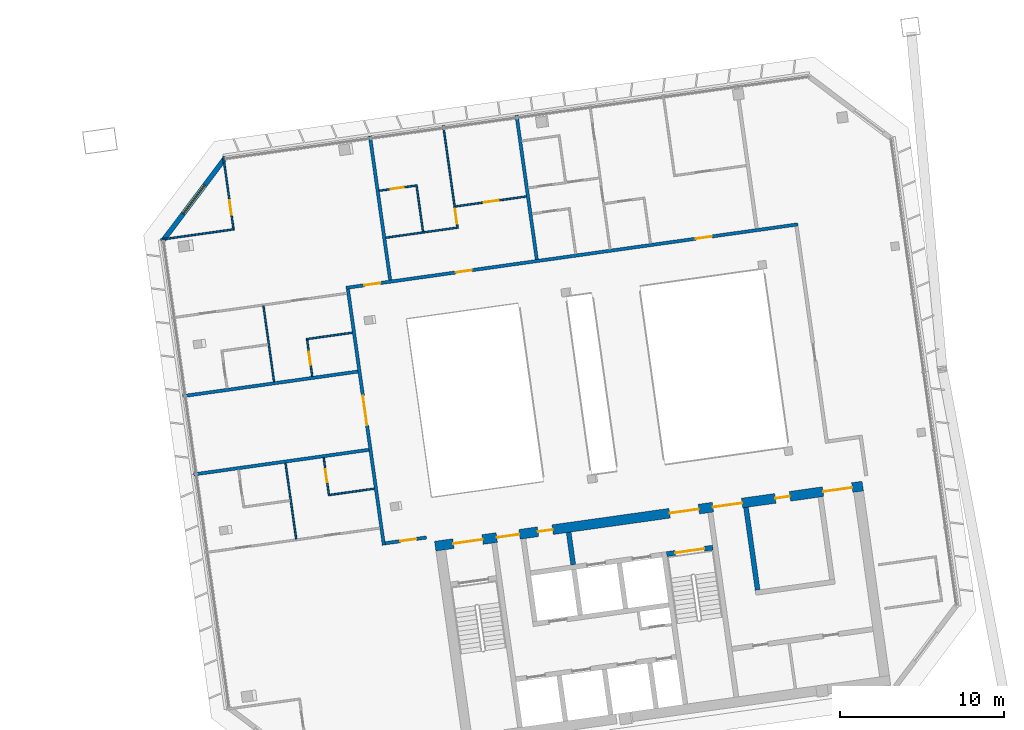
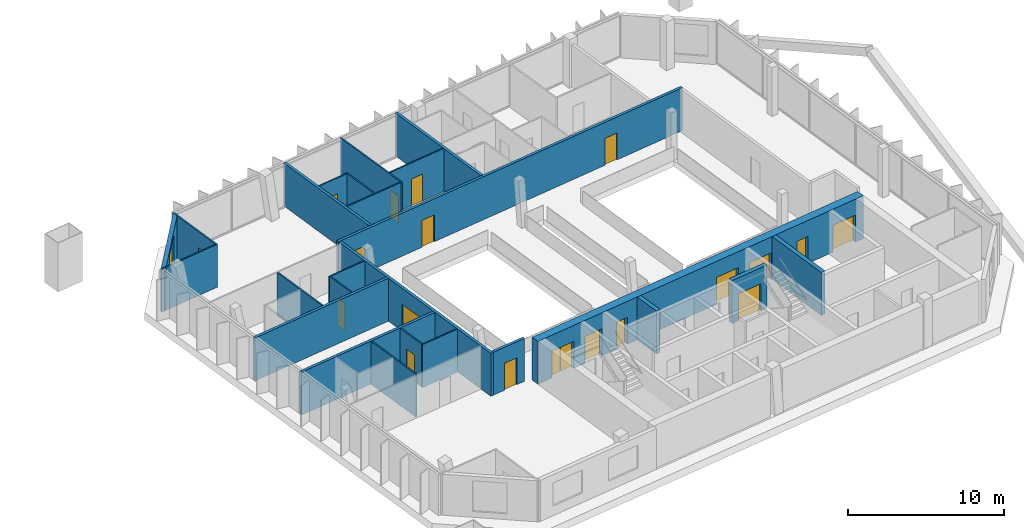
# One storey, part 15 of 19: 25 walls, 19 doors, 1 window, 20 openings.
"""IFC4 building model written with IfcOpenShell, lengths in metres."""

from ifc_helpers import new_model, si_unit, direction, frame, frame_2d, origin, place, context, subcontext, project, spatial, rectangle, extrude, material, layer, layer_set, type_object, element, fill, save


model = new_model("IFC4")

# Units and contexts
model_context = context("Model", 3, precision=1e-05, world=origin(), true_north=direction((0.0, 1.0)))
body_context = subcontext(model_context, "Body", "Model", "MODEL_VIEW")
ifc_project = project(units=[si_unit("LENGTHUNIT", "METRE"), si_unit("AREAUNIT", "SQUARE_METRE"), si_unit("VOLUMEUNIT", "CUBIC_METRE"), si_unit("PLANEANGLEUNIT", "RADIAN"), si_unit("MASSUNIT", "GRAM", prefix="KILO")], contexts=[model_context])

# Site, building, storey
site_placement = place(None, origin())
site = spatial("IfcSite", under=ifc_project, at=site_placement, CompositionType="ELEMENT")
building_placement = place(site_placement, origin())
building = spatial("IfcBuilding", under=site, at=building_placement, Name="Mirante Cascada Hotel Towers", CompositionType="ELEMENT")
storey_placement = place(building_placement, frame((0.0, 0.0, 239.4)))
storey = spatial("IfcBuildingStorey", under=building, at=storey_placement, Name="L57", CompositionType="ELEMENT", Elevation=239.4)

# Wall, opening, door
ifc_material_1 = material(Name="Fire-rated plasterboard on metal studs")
ifc_layer_1 = layer(ifc_material_1, 0.2)
ifc_layer_set_1 = layer_set([ifc_layer_1], Name="Compartment wall 200 EI 120")
wall_type_1 = type_object("IfcWallType", Name="Compartment wall 200 EI 120", PredefinedType="PARTITIONING", material=ifc_layer_set_1)
wall_1_placement = place(storey_placement, frame((32.5897, -7.493, 0.0), z_axis=(0.0, 0.0, 1.0), x_axis=(0.9902684, 0.1391709, 0.0)))
wall_1 = element("IfcWall", 1, at=wall_1_placement, inside=storey, type_object=wall_type_1, Name="Wall 2-L57-04", PredefinedType="PARTITIONING", context=body_context, shape_type="SweptSolid", body=[
    extrude(rectangle(XDim=2.5386, YDim=0.2, at=frame_2d((1.2693, 0.0))), origin(), (0.0, 0.0, 1.0), 3.35),
])
opening_1_placement = place(wall_1_placement, frame((0.9193, 0.0, 0.0)))
opening_1 = element("IfcOpeningElement", 2, at=opening_1_placement, cuts=wall_1, Name="Opening D2-L57-01", PredefinedType="OPENING", context=body_context, shape_type="SweptSolid", body=[
    extrude(rectangle(XDim=1.0, YDim=2.1, at=frame_2d((0.5, 1.05))), frame((0.0, 0.1, 0.0), z_axis=(0.0, -1.0, 0.0), x_axis=(1.0, 0.0, 0.0)), (0.0, 0.0, 1.0), 0.2),
])
ifc_material_2 = material(Name="Fire-rated timber door leaf", Category="wood")
door_type_1 = type_object("IfcDoorType", Name="Entrance door DG1 1000x2100 EI 60", OperationType="SINGLE_SWING_LEFT", PredefinedType="DOOR", material=ifc_material_2)
door_1_placement = place(opening_1_placement, frame((1.0, 0.0, 0.0), z_axis=(0.0, 0.0, 1.0), x_axis=(-1.0, 0.0, 0.0)))
door_1 = element("IfcDoor", 3, at=door_1_placement, inside=storey, type_object=door_type_1, Name="Door D2-L57-01", OperationType="SINGLE_SWING_RIGHT", OverallHeight=2.1, OverallWidth=1.0, PredefinedType="DOOR", context=body_context, shape_type="SweptSolid", body=[
    extrude(rectangle(XDim=1.0, YDim=2.1, at=frame_2d((0.5, 1.05))), frame((0.0, 0.025, 0.0), z_axis=(0.0, -1.0, 0.0), x_axis=(1.0, 0.0, 0.0)), (0.0, 0.0, 1.0), 0.05),
])
fill(opening_1, door_1)

# Walls
for number, where, z_axis, x_axis, name in (
    (4, (31.5844, -1.7773, 0.0), (0.0, 0.0, 1.0), (-0.9902678, -0.1391751, 0.0), "Wall 2-L57-09"),
    (5, (20.2018, 1.5038, 0.0), (0.0, 0.0, 1.0), (0.9902692, 0.1391647, 0.0), "Wall 2-L57-10"),
):
    element("IfcWall", number, at=place(storey_placement, frame(where, z_axis=z_axis, x_axis=x_axis)), inside=storey, type_object=wall_type_1, Name=name, PredefinedType="PARTITIONING", context=body_context, shape_type="SweptSolid", body=[
        extrude(rectangle(XDim=10.8152, YDim=0.2, at=frame_2d((5.4076, 0.0))), origin(), (0.0, 0.0, 1.0), 3.35),
    ])

# Wall, openings, doors
wall_2_placement = place(storey_placement, frame((30.1927, 8.1254, 0.0), z_axis=(0.0, 0.0, 1.0), x_axis=(0.9902682, 0.139172, 0.0)))
wall_2 = element("IfcWall", 6, at=wall_2_placement, inside=storey, type_object=wall_type_1, Name="Wall 2-L57-14", PredefinedType="PARTITIONING", context=body_context, shape_type="SweptSolid", body=[
    extrude(rectangle(XDim=27.9, YDim=0.2, at=frame_2d((13.95, 0.0))), origin(), (0.0, 0.0, 1.0), 3.35),
])
opening_2_placement = place(wall_2_placement, frame((1.1193, 0.0, 0.0)))
opening_2 = element("IfcOpeningElement", 7, at=opening_2_placement, cuts=wall_2, Name="Opening D2-L57-06", PredefinedType="OPENING", context=body_context, shape_type="SweptSolid", body=[
    extrude(rectangle(XDim=1.0, YDim=2.1, at=frame_2d((0.5, 1.05))), frame((0.0, 0.1, 0.0), z_axis=(0.0, -1.0, 0.0), x_axis=(1.0, 0.0, 0.0)), (0.0, 0.0, 1.0), 0.2),
])
opening_3_placement = place(wall_2_placement, frame((6.7655, 0.0, 0.0)))
opening_3 = element("IfcOpeningElement", 8, at=opening_3_placement, cuts=wall_2, Name="Opening D2-L57-07", PredefinedType="OPENING", context=body_context, shape_type="SweptSolid", body=[
    extrude(rectangle(XDim=1.0, YDim=2.1, at=frame_2d((0.5, 1.05))), frame((0.0, 0.1, 0.0), z_axis=(0.0, -1.0, 0.0), x_axis=(1.0, 0.0, 0.0)), (0.0, 0.0, 1.0), 0.2),
])
opening_4_placement = place(wall_2_placement, frame((21.5914, 0.0, 0.0)))
opening_4 = element("IfcOpeningElement", 9, at=opening_4_placement, cuts=wall_2, Name="Opening D2-L57-08", PredefinedType="OPENING", context=body_context, shape_type="SweptSolid", body=[
    extrude(rectangle(XDim=1.0, YDim=2.1, at=frame_2d((0.5, 1.05))), frame((0.0, 0.1, 0.0), z_axis=(0.0, -1.0, 0.0), x_axis=(1.0, 0.0, 0.0)), (0.0, 0.0, 1.0), 0.2),
])
door_2_placement = place(opening_2_placement, origin())
door_2 = element("IfcDoor", 10, at=door_2_placement, inside=storey, type_object=door_type_1, Name="Door D2-L57-06", OperationType="SINGLE_SWING_LEFT", OverallHeight=2.1, OverallWidth=1.0, PredefinedType="DOOR", context=body_context, shape_type="SweptSolid", body=[
    extrude(rectangle(XDim=1.0, YDim=2.1, at=frame_2d((0.5, 1.05))), frame((0.0, 0.025, 0.0), z_axis=(0.0, -1.0, 0.0), x_axis=(1.0, 0.0, 0.0)), (0.0, 0.0, 1.0), 0.05),
])
fill(opening_2, door_2)
door_3_placement = place(opening_3_placement, origin())
door_3 = element("IfcDoor", 11, at=door_3_placement, inside=storey, type_object=door_type_1, Name="Door D2-L57-07", OperationType="SINGLE_SWING_LEFT", OverallHeight=2.1, OverallWidth=1.0, PredefinedType="DOOR", context=body_context, shape_type="SweptSolid", body=[
    extrude(rectangle(XDim=1.0, YDim=2.1, at=frame_2d((0.5, 1.05))), frame((0.0, 0.025, 0.0), z_axis=(0.0, -1.0, 0.0), x_axis=(1.0, 0.0, 0.0)), (0.0, 0.0, 1.0), 0.05),
])
fill(opening_3, door_3)
door_4_placement = place(opening_4_placement, origin())
door_4 = element("IfcDoor", 12, at=door_4_placement, inside=storey, type_object=door_type_1, Name="Door D2-L57-08", OperationType="SINGLE_SWING_LEFT", OverallHeight=2.1, OverallWidth=1.0, PredefinedType="DOOR", context=body_context, shape_type="SweptSolid", body=[
    extrude(rectangle(XDim=1.0, YDim=2.1, at=frame_2d((0.5, 1.05))), frame((0.0, 0.025, 0.0), z_axis=(0.0, -1.0, 0.0), x_axis=(1.0, 0.0, 0.0)), (0.0, 0.0, 1.0), 0.05),
])
fill(opening_4, door_4)

# Wall, opening, door
wall_3_placement = place(storey_placement, frame((32.5046, -7.606, 0.0), z_axis=(0.0, 0.0, 1.0), x_axis=(-0.1391774, 0.9902675, 0.0)))
wall_3 = element("IfcWall", 13, at=wall_3_placement, inside=storey, type_object=wall_type_1, Name="Wall 2-L57-32", PredefinedType="PARTITIONING", context=body_context, shape_type="SweptSolid", body=[
    extrude(rectangle(XDim=15.8, YDim=0.2, at=frame_2d((7.9, 0.0))), origin(), (0.0, 0.0, 1.0), 3.35),
])
opening_5_placement = place(wall_3_placement, frame((7.4167, 0.0, 0.0)))
opening_5 = element("IfcOpeningElement", 14, at=opening_5_placement, cuts=wall_3, Name="Opening D2-L57-22", PredefinedType="OPENING", context=body_context, shape_type="SweptSolid", body=[
    extrude(rectangle(XDim=1.8, YDim=2.1, at=frame_2d((0.9, 1.05))), frame((0.0, 0.1, 0.0), z_axis=(0.0, -1.0, 0.0), x_axis=(1.0, 0.0, 0.0)), (0.0, 0.0, 1.0), 0.2),
])
ifc_material_3 = material(Name="Fire-rated timber door leaf", Category="wood")
door_type_2 = type_object("IfcDoorType", Name="Suite double door DG2 1800x2100 EI 60", OperationType="DOUBLE_DOOR_SINGLE_SWING", PredefinedType="DOOR", material=ifc_material_3)
door_5_placement = place(opening_5_placement, origin())
door_5 = element("IfcDoor", 15, at=door_5_placement, inside=storey, type_object=door_type_2, Name="Door D2-L57-22", OperationType="DOUBLE_DOOR_SINGLE_SWING", OverallHeight=2.1, OverallWidth=1.8, PredefinedType="DOOR", context=body_context, shape_type="SweptSolid", body=[
    extrude(rectangle(XDim=0.895, YDim=2.1, at=frame_2d((0.4475, 1.05))), frame((0.0, 0.025, 0.0), z_axis=(0.0, -1.0, 0.0), x_axis=(1.0, 0.0, 0.0)), (0.0, 0.0, 1.0), 0.05),
    extrude(rectangle(XDim=0.895, YDim=2.1, at=frame_2d((1.3525, 1.05))), frame((0.0, 0.025, 0.0), z_axis=(0.0, -1.0, 0.0), x_axis=(1.0, 0.0, 0.0)), (0.0, 0.0, 1.0), 0.05),
])
fill(opening_5, door_5)

# Walls
for number, where, z_axis, x_axis, name in (
    (16, (31.6521, 17.4189, 0.0), (0.0, 0.0, 1.0), (0.1391684, -0.9902687, 0.0), "Wall 2-L57-33"),
    (17, (41.8564, 9.8656, 0.0), (0.0, 0.0, 1.0), (-0.1391684, 0.9902687, 0.0), "Wall 2-L57-36"),
):
    element("IfcWall", number, at=place(storey_placement, frame(where, z_axis=z_axis, x_axis=x_axis)), inside=storey, type_object=wall_type_1, Name=name, PredefinedType="PARTITIONING", context=body_context, shape_type="SweptSolid", body=[
        extrude(rectangle(XDim=8.9, YDim=0.2, at=frame_2d((4.45, 0.0))), origin(), (0.0, 0.0, 1.0), 3.35),
    ])
ifc_material_4 = material(Name="Masonry block", Category="masonry")
ifc_layer_2 = layer(ifc_material_4, 0.3)
ifc_layer_set_2 = layer_set([ifc_layer_2], Name="Core wall 300 block EI 120")
wall_type_2 = type_object("IfcWallType", Name="Core wall 300 block EI 120", PredefinedType="PARTITIONING", material=ifc_layer_set_2)
wall_4_placement = place(storey_placement, frame((44.0843, -8.8061, 0.0), z_axis=(0.0, 0.0, 1.0), x_axis=(-0.1391951, 0.990265, 0.0)))
element("IfcWall", 18, at=wall_4_placement, inside=storey, type_object=wall_type_2, Name="Core wall partition T2 L57 1", PredefinedType="PARTITIONING", context=body_context, shape_type="SweptSolid", body=[
    extrude(rectangle(XDim=2.0001, YDim=0.3, at=frame_2d((1.0001, 0.0))), origin(), (0.0, 0.0, 1.0), 3.35),
])
ifc_material_5 = material(Name="Plasterboard on metal studs")
ifc_layer_3 = layer(ifc_material_5, 0.1)
ifc_layer_set_3 = layer_set([ifc_layer_3], Name="Partition 100")
wall_type_3 = type_object("IfcWallType", Name="Partition 100", PredefinedType="PARTITIONING", material=ifc_layer_set_3)
for number, where, z_axis, x_axis, name in (
    (19, (29.0962, -4.5506, 0.0), (0.0, 0.0, 1.0), (0.9902697, 0.1391613, 0.0), "Wall 2-L57-08"),
    (20, (27.7555, 4.9889, 0.0), (0.0, 0.0, 1.0), (0.9902649, 0.1391957, 0.0), "Wall 2-L57-12"),
):
    element("IfcWall", number, at=place(storey_placement, frame(where, z_axis=z_axis, x_axis=x_axis)), inside=storey, type_object=wall_type_3, Name=name, PredefinedType="PARTITIONING", context=body_context, shape_type="SweptSolid", body=[
        extrude(rectangle(XDim=2.8499, YDim=0.1, at=frame_2d((1.425, 0.0))), origin(), (0.0, 0.0, 1.0), 3.35),
    ])
wall_5_placement = place(storey_placement, frame((36.9622, 11.8033, 0.0), z_axis=(0.0, 0.0, 1.0), x_axis=(-0.9902664, -0.1391852, 0.0)))
element("IfcWall", 21, at=wall_5_placement, inside=storey, type_object=wall_type_3, Name="Wall 2-L57-15", PredefinedType="PARTITIONING", context=body_context, shape_type="SweptSolid", body=[
    extrude(rectangle(XDim=4.3769, YDim=0.1, at=frame_2d((2.1884, 0.0))), origin(), (0.0, 0.0, 1.0), 3.35),
])

# Wall, opening, door
wall_6_placement = place(storey_placement, frame((36.8803, 13.1046, 0.0), z_axis=(0.0, 0.0, 1.0), x_axis=(0.9902695, 0.1391628, 0.0)))
wall_6 = element("IfcWall", 22, at=wall_6_placement, inside=storey, type_object=wall_type_3, Name="Wall 2-L57-18", PredefinedType="PARTITIONING", context=body_context, shape_type="SweptSolid", body=[
    extrude(rectangle(XDim=4.3769, YDim=0.1, at=frame_2d((2.1884, 0.0))), origin(), (0.0, 0.0, 1.0), 3.35),
])
opening_6_placement = place(wall_6_placement, frame((1.7634, 0.0, 0.0)))
opening_6 = element("IfcOpeningElement", 23, at=opening_6_placement, cuts=wall_6, Name="Opening D2-L57-11", PredefinedType="OPENING", context=body_context, shape_type="SweptSolid", body=[
    extrude(rectangle(XDim=0.9, YDim=2.1, at=frame_2d((0.45, 1.05))), frame((0.0, 0.05, 0.0), z_axis=(0.0, -1.0, 0.0), x_axis=(1.0, 0.0, 0.0)), (0.0, 0.0, 1.0), 0.1),
])
ifc_material_6 = material(Name="Timber door leaf", Category="wood")
door_type_3 = type_object("IfcDoorType", Name="Room door DG3 900x2100", OperationType="SINGLE_SWING_LEFT", PredefinedType="DOOR", material=ifc_material_6)
door_6_placement = place(opening_6_placement, frame((0.9, 0.0, 0.0), z_axis=(0.0, 0.0, 1.0), x_axis=(-1.0, 0.0, 0.0)))
door_6 = element("IfcDoor", 24, at=door_6_placement, inside=storey, type_object=door_type_3, Name="Door D2-L57-11", OperationType="SINGLE_SWING_RIGHT", OverallHeight=2.1, OverallWidth=0.9, PredefinedType="DOOR", context=body_context, shape_type="SweptSolid", body=[
    extrude(rectangle(XDim=0.9, YDim=2.1, at=frame_2d((0.45, 1.05))), frame((0.0, 0.025, 0.0), z_axis=(0.0, -1.0, 0.0), x_axis=(1.0, 0.0, 0.0)), (0.0, 0.0, 1.0), 0.05),
])
fill(opening_6, door_6)

# Wall
wall_7_placement = place(storey_placement, frame((18.8565, 11.0764, 0.0), z_axis=(0.0, 0.0, 1.0), x_axis=(0.9902691, 0.1391656, 0.0)))
element("IfcWall", 25, at=wall_7_placement, inside=storey, type_object=wall_type_3, Name="Wall 2-L57-20", PredefinedType="PARTITIONING", context=body_context, shape_type="SweptSolid", body=[
    extrude(rectangle(XDim=4.55, YDim=0.1, at=frame_2d((2.275, 0.0))), origin(), (0.0, 0.0, 1.0), 3.35),
])

# Wall, opening, door
wall_8_placement = place(storey_placement, frame((32.2243, 14.0659, 0.0), z_axis=(0.0, 0.0, 1.0), x_axis=(0.9902643, 0.1391997, 0.0)))
wall_8 = element("IfcWall", 26, at=wall_8_placement, inside=storey, type_object=wall_type_3, Name="Wall 2-L57-22", PredefinedType="PARTITIONING", context=body_context, shape_type="SweptSolid", body=[
    extrude(rectangle(XDim=2.25, YDim=0.1, at=frame_2d((1.125, 0.0))), origin(), (0.0, 0.0, 1.0), 3.35),
])
opening_7_placement = place(wall_8_placement, frame((0.7, 0.0, 0.0)))
opening_7 = element("IfcOpeningElement", 27, at=opening_7_placement, cuts=wall_8, Name="Opening D2-L57-15", PredefinedType="OPENING", context=body_context, shape_type="SweptSolid", body=[
    extrude(rectangle(XDim=0.8, YDim=2.1, at=frame_2d((0.4, 1.05))), frame((0.0, 0.05, 0.0), z_axis=(0.0, -1.0, 0.0), x_axis=(1.0, 0.0, 0.0)), (0.0, 0.0, 1.0), 0.1),
])
ifc_material_7 = material(Name="Timber door leaf", Category="wood")
door_type_4 = type_object("IfcDoorType", Name="Bathroom door DG4 800x2100", OperationType="SINGLE_SWING_LEFT", PredefinedType="DOOR", material=ifc_material_7)
door_7_placement = place(opening_7_placement, origin())
door_7 = element("IfcDoor", 28, at=door_7_placement, inside=storey, type_object=door_type_4, Name="Door D2-L57-15", OperationType="SINGLE_SWING_LEFT", OverallHeight=2.1, OverallWidth=0.8, PredefinedType="DOOR", context=body_context, shape_type="SweptSolid", body=[
    extrude(rectangle(XDim=0.8, YDim=2.1, at=frame_2d((0.4, 1.05))), frame((0.0, 0.025, 0.0), z_axis=(0.0, -1.0, 0.0), x_axis=(1.0, 0.0, 0.0)), (0.0, 0.0, 1.0), 0.05),
])
fill(opening_7, door_7)

wall_9_placement = place(storey_placement, frame((22.6864, 16.1589, 0.0), z_axis=(0.0, 0.0, 1.0), x_axis=(0.1391684, -0.9902687, 0.0)))
wall_9 = element("IfcWall", 29, at=wall_9_placement, inside=storey, type_object=wall_type_3, Name="Wall 2-L57-27", PredefinedType="PARTITIONING", context=body_context, shape_type="SweptSolid", body=[
    extrude(rectangle(XDim=4.45, YDim=0.1, at=frame_2d((2.225, 0.0))), origin(), (0.0, 0.0, 1.0), 3.35),
])
opening_8_placement = place(wall_9_placement, frame((2.6917, 0.0, 0.0)))
opening_8 = element("IfcOpeningElement", 30, at=opening_8_placement, cuts=wall_9, Name="Opening D2-L57-19", PredefinedType="OPENING", context=body_context, shape_type="SweptSolid", body=[
    extrude(rectangle(XDim=0.9, YDim=2.1, at=frame_2d((0.45, 1.05))), frame((0.0, 0.05, 0.0), z_axis=(0.0, -1.0, 0.0), x_axis=(1.0, 0.0, 0.0)), (0.0, 0.0, 1.0), 0.1),
])
door_8_placement = place(opening_8_placement, origin())
door_8 = element("IfcDoor", 31, at=door_8_placement, inside=storey, type_object=door_type_3, Name="Door D2-L57-19", OperationType="SINGLE_SWING_LEFT", OverallHeight=2.1, OverallWidth=0.9, PredefinedType="DOOR", context=body_context, shape_type="SweptSolid", body=[
    extrude(rectangle(XDim=0.9, YDim=2.1, at=frame_2d((0.45, 1.05))), frame((0.0, 0.025, 0.0), z_axis=(0.0, -1.0, 0.0), x_axis=(1.0, 0.0, 0.0)), (0.0, 0.0, 1.0), 0.05),
])
fill(opening_8, door_8)

# Walls
for number, where, z_axis, x_axis, name in (
    (32, (27.1427, -7.2319, 0.0), (0.0, 0.0, 1.0), (-0.139173, 0.9902681, 0.0), "Wall 2-L57-28"),
    (33, (25.1386, 7.028, 0.0), (0.0, 0.0, 1.0), (0.139173, -0.9902681, 0.0), "Wall 2-L57-29"),
):
    element("IfcWall", number, at=place(storey_placement, frame(where, z_axis=z_axis, x_axis=x_axis)), inside=storey, type_object=wall_type_3, Name=name, PredefinedType="PARTITIONING", context=body_context, shape_type="SweptSolid", body=[
        extrude(rectangle(XDim=4.6834, YDim=0.1, at=frame_2d((2.3417, 0.0))), origin(), (0.0, 0.0, 1.0), 3.35),
    ])

# Wall, opening, door
wall_10_placement = place(storey_placement, frame((29.1387, -4.4941, 0.0), z_axis=(0.0, 0.0, 1.0), x_axis=(-0.1391561, 0.9902705, 0.0)))
wall_10 = element("IfcWall", 34, at=wall_10_placement, inside=storey, type_object=wall_type_3, Name="Wall 2-L57-30", PredefinedType="PARTITIONING", context=body_context, shape_type="SweptSolid", body=[
    extrude(rectangle(XDim=2.25, YDim=0.1, at=frame_2d((1.125, 0.0))), origin(), (0.0, 0.0, 1.0), 3.35),
])
opening_9_placement = place(wall_10_placement, frame((0.75, 0.0, 0.0)))
opening_9 = element("IfcOpeningElement", 35, at=opening_9_placement, cuts=wall_10, Name="Opening D2-L57-20", PredefinedType="OPENING", context=body_context, shape_type="SweptSolid", body=[
    extrude(rectangle(XDim=0.8, YDim=2.1, at=frame_2d((0.4, 1.05))), frame((0.0, 0.05, 0.0), z_axis=(0.0, -1.0, 0.0), x_axis=(1.0, 0.0, 0.0)), (0.0, 0.0, 1.0), 0.1),
])
door_9_placement = place(opening_9_placement, frame((0.8, 0.0, 0.0), z_axis=(0.0, 0.0, 1.0), x_axis=(-1.0, 0.0, 0.0)))
door_9 = element("IfcDoor", 36, at=door_9_placement, inside=storey, type_object=door_type_4, Name="Door D2-L57-20", OperationType="SINGLE_SWING_RIGHT", OverallHeight=2.1, OverallWidth=0.8, PredefinedType="DOOR", context=body_context, shape_type="SweptSolid", body=[
    extrude(rectangle(XDim=0.8, YDim=2.1, at=frame_2d((0.4, 1.05))), frame((0.0, 0.025, 0.0), z_axis=(0.0, -1.0, 0.0), x_axis=(1.0, 0.0, 0.0)), (0.0, 0.0, 1.0), 0.05),
])
fill(opening_9, door_9)

wall_11_placement = place(storey_placement, frame((27.812, 4.9464, 0.0), z_axis=(0.0, 0.0, 1.0), x_axis=(0.1391561, -0.9902705, 0.0)))
wall_11 = element("IfcWall", 37, at=wall_11_placement, inside=storey, type_object=wall_type_3, Name="Wall 2-L57-31", PredefinedType="PARTITIONING", context=body_context, shape_type="SweptSolid", body=[
    extrude(rectangle(XDim=2.25, YDim=0.1, at=frame_2d((1.125, 0.0))), origin(), (0.0, 0.0, 1.0), 3.35),
])
opening_10_placement = place(wall_11_placement, frame((0.75, 0.0, 0.0)))
opening_10 = element("IfcOpeningElement", 38, at=opening_10_placement, cuts=wall_11, Name="Opening D2-L57-21", PredefinedType="OPENING", context=body_context, shape_type="SweptSolid", body=[
    extrude(rectangle(XDim=0.8, YDim=2.1, at=frame_2d((0.4, 1.05))), frame((0.0, 0.05, 0.0), z_axis=(0.0, -1.0, 0.0), x_axis=(1.0, 0.0, 0.0)), (0.0, 0.0, 1.0), 0.1),
])
door_10_placement = place(opening_10_placement, origin())
door_10 = element("IfcDoor", 39, at=door_10_placement, inside=storey, type_object=door_type_4, Name="Door D2-L57-21", OperationType="SINGLE_SWING_LEFT", OverallHeight=2.1, OverallWidth=0.8, PredefinedType="DOOR", context=body_context, shape_type="SweptSolid", body=[
    extrude(rectangle(XDim=0.8, YDim=2.1, at=frame_2d((0.4, 1.05))), frame((0.0, 0.025, 0.0), z_axis=(0.0, -1.0, 0.0), x_axis=(1.0, 0.0, 0.0)), (0.0, 0.0, 1.0), 0.05),
])
fill(opening_10, door_10)

# Wall
wall_12_placement = place(storey_placement, frame((34.8986, 11.5637, 0.0), z_axis=(0.0, 0.0, 1.0), x_axis=(-0.1391714, 0.9902683, 0.0)))
element("IfcWall", 40, at=wall_12_placement, inside=storey, type_object=wall_type_3, Name="Wall 2-L57-34", PredefinedType="PARTITIONING", context=body_context, shape_type="SweptSolid", body=[
    extrude(rectangle(XDim=2.9, YDim=0.1, at=frame_2d((1.45, 0.0))), origin(), (0.0, 0.0, 1.0), 3.35),
])

# Wall, opening, door
wall_13_placement = place(storey_placement, frame((36.1349, 18.0489, 0.0), z_axis=(0.0, 0.0, 1.0), x_axis=(0.139181, -0.990267, 0.0)))
wall_13 = element("IfcWall", 41, at=wall_13_placement, inside=storey, type_object=wall_type_3, Name="Wall 2-L57-35", PredefinedType="PARTITIONING", context=body_context, shape_type="SweptSolid", body=[
    extrude(rectangle(XDim=6.35, YDim=0.1, at=frame_2d((3.175, 0.0))), origin(), (0.0, 0.0, 1.0), 3.35),
])
opening_11_placement = place(wall_13_placement, frame((5.15, 0.0, 0.0)))
opening_11 = element("IfcOpeningElement", 42, at=opening_11_placement, cuts=wall_13, Name="Opening D2-L57-23", PredefinedType="OPENING", context=body_context, shape_type="SweptSolid", body=[
    extrude(rectangle(XDim=0.9, YDim=2.1, at=frame_2d((0.45, 1.05))), frame((0.0, 0.05, 0.0), z_axis=(0.0, -1.0, 0.0), x_axis=(1.0, 0.0, 0.0)), (0.0, 0.0, 1.0), 0.1),
])
door_11_placement = place(opening_11_placement, frame((0.9, 0.0, 0.0), z_axis=(0.0, 0.0, 1.0), x_axis=(-1.0, 0.0, 0.0)))
door_11 = element("IfcDoor", 43, at=door_11_placement, inside=storey, type_object=door_type_3, Name="Door D2-L57-23", OperationType="SINGLE_SWING_RIGHT", OverallHeight=2.1, OverallWidth=0.9, PredefinedType="DOOR", context=body_context, shape_type="SweptSolid", body=[
    extrude(rectangle(XDim=0.9, YDim=2.1, at=frame_2d((0.45, 1.05))), frame((0.0, 0.025, 0.0), z_axis=(0.0, -1.0, 0.0), x_axis=(1.0, 0.0, 0.0)), (0.0, 0.0, 1.0), 0.05),
])
fill(opening_11, door_11)

# Wall, opening, window
ifc_material_8 = material(Name="Precast concrete C40/50", Category="concrete")
ifc_layer_4 = layer(ifc_material_8, 0.3)
ifc_layer_set_4 = layer_set([ifc_layer_4], Name="Precast concrete C40/50 cladding wall 300")
wall_type_4 = type_object("IfcWallType", Name="Precast concrete C40/50 cladding wall 300", PredefinedType="STANDARD", material=ifc_layer_set_4)
wall_14_placement = place(storey_placement, frame((22.7315, 15.9695, 0.0), z_axis=(0.0, 0.0, 1.0), x_axis=(-0.6018063, -0.7986421, 0.0)))
wall_14 = element("IfcWall", 44, at=wall_14_placement, inside=storey, type_object=wall_type_4, Name="Corner cladding wall T2 L57 front inner", PredefinedType="STANDARD", context=body_context, shape_type="SweptSolid", body=[
    extrude(rectangle(XDim=6.1158, YDim=0.3, at=frame_2d((3.0579, 0.0))), origin(), (0.0, 0.0, 1.0), 3.35),
])
opening_12_placement = place(wall_14_placement, frame((1.9578, 0.0, 0.6)))
opening_12 = element("IfcOpeningElement", 45, at=opening_12_placement, cuts=wall_14, Name="Opening W2-57-05", PredefinedType="OPENING", context=body_context, shape_type="SweptSolid", body=[
    extrude(rectangle(XDim=2.2, YDim=2.4, at=frame_2d((1.1, 1.2))), frame((0.0, 0.15, 0.0), z_axis=(0.0, -1.0, 0.0), x_axis=(1.0, 0.0, 0.0)), (0.0, 0.0, 1.0), 0.3),
])
ifc_material_9 = material(Name="Aluminium frame with clear double glazing", Category="aluminium")
window_type = type_object("IfcWindowType", Name="Corner suite window 2200x2400", PartitioningType="DOUBLE_PANEL_VERTICAL", PredefinedType="WINDOW", material=ifc_material_9)
window_placement = place(opening_12_placement, origin())
window = element("IfcWindow", 46, at=window_placement, inside=storey, type_object=window_type, Name="Window W2-57-05", OverallHeight=2.4, OverallWidth=2.2, PartitioningType="SINGLE_PANEL", PredefinedType="WINDOW", context=body_context, shape_type="SweptSolid", body=[
    extrude(rectangle(XDim=2.2, YDim=2.4, at=frame_2d((1.1, 1.2))), frame((0.0, 0.03, 0.0), z_axis=(0.0, -1.0, 0.0), x_axis=(1.0, 0.0, 0.0)), (0.0, 0.0, 1.0), 0.06),
])
fill(opening_12, window)

# Wall, opening, door
ifc_material_10 = material(Name="Concrete C50/60", Category="concrete")
ifc_layer_5 = layer(ifc_material_10, 0.3)
ifc_layer_set_5 = layer_set([ifc_layer_5], Name="RC core wall 300 C50/60")
wall_type_5 = type_object("IfcWallType", Name="RC core wall 300 C50/60", PredefinedType="SHEAR", material=ifc_layer_set_5)
wall_15_placement = place(storey_placement, frame((49.7992, -8.1544, 0.0), z_axis=(0.0, 0.0, 1.0), x_axis=(0.9902656, 0.1391909, 0.0)))
wall_15 = element("IfcWall", 47, at=wall_15_placement, inside=storey, type_object=wall_type_5, Name="Core wall T2:L57:9", PredefinedType="SHEAR", context=body_context, shape_type="SweptSolid", body=[
    extrude(rectangle(XDim=2.85, YDim=0.3, at=frame_2d((1.425, 0.0))), origin(), (0.0, 0.0, 1.0), 3.35),
])
opening_13_placement = place(wall_15_placement, frame((0.525, 0.0, 0.0)))
opening_13 = element("IfcOpeningElement", 48, at=opening_13_placement, cuts=wall_15, Name="Opening D2-57-C09", PredefinedType="OPENING", context=body_context, shape_type="SweptSolid", body=[
    extrude(rectangle(XDim=1.8, YDim=2.1, at=frame_2d((0.9, 1.05))), frame((0.0, 0.15, 0.0), z_axis=(0.0, -1.0, 0.0), x_axis=(1.0, 0.0, 0.0)), (0.0, 0.0, 1.0), 0.3),
])
ifc_material_11 = material(Name="Hollow metal fire door leaf")
door_type_5 = type_object("IfcDoorType", Name="Double fire door 1800x2100 FD60", OperationType="DOUBLE_DOOR_SINGLE_SWING", PredefinedType="DOOR", material=ifc_material_11)
door_12_placement = place(opening_13_placement, frame((1.8, 0.0, 0.0), z_axis=(0.0, 0.0, 1.0), x_axis=(-1.0, 0.0, 0.0)))
door_12 = element("IfcDoor", 49, at=door_12_placement, inside=storey, type_object=door_type_5, Name="Stair door T2 L57 9", OperationType="DOUBLE_DOOR_SINGLE_SWING", OverallHeight=2.1, OverallWidth=1.8, PredefinedType="DOOR", context=body_context, shape_type="SweptSolid", body=[
    extrude(rectangle(XDim=0.895, YDim=2.1, at=frame_2d((0.4475, 1.05))), frame((0.0, 0.025, 0.0), z_axis=(0.0, -1.0, 0.0), x_axis=(1.0, 0.0, 0.0)), (0.0, 0.0, 1.0), 0.05),
    extrude(rectangle(XDim=0.895, YDim=2.1, at=frame_2d((1.3525, 1.05))), frame((0.0, 0.025, 0.0), z_axis=(0.0, -1.0, 0.0), x_axis=(1.0, 0.0, 0.0)), (0.0, 0.0, 1.0), 0.05),
])
fill(opening_13, door_12)

# Wall
wall_16_placement = place(storey_placement, frame((55.3592, -10.352, 0.0), z_axis=(0.0, 0.0, 1.0), x_axis=(-0.1391755, 0.9902677, 0.0)))
element("IfcWall", 50, at=wall_16_placement, inside=storey, type_object=wall_type_5, Name="Core wall T2:L57:25", PredefinedType="SHEAR", context=body_context, shape_type="SweptSolid", body=[
    extrude(rectangle(XDim=5.1, YDim=0.3, at=frame_2d((2.55, 0.0))), origin(), (0.0, 0.0, 1.0), 3.35),
])

# Wall, openings, doors
ifc_material_12 = material(Name="Concrete C50/60", Category="concrete")
ifc_layer_6 = layer(ifc_material_12, 0.6)
ifc_layer_set_6 = layer_set([ifc_layer_6], Name="RC core wall 600 C50/60")
wall_type_6 = type_object("IfcWallType", Name="RC core wall 600 C50/60", PredefinedType="SHEAR", material=ifc_layer_set_6)
wall_17_placement = place(storey_placement, frame((35.644, -7.6697, 0.0), z_axis=(0.0, 0.0, 1.0), x_axis=(0.9902679, 0.1391741, 0.0)))
wall_17 = element("IfcWall", 51, at=wall_17_placement, inside=storey, type_object=wall_type_6, Name="Core wall T2:L57:2", PredefinedType="SHEAR", context=body_context, shape_type="SweptSolid", body=[
    extrude(rectangle(XDim=26.4, YDim=0.6, at=frame_2d((13.2, 0.0))), origin(), (0.0, 0.0, 1.0), 3.35),
])
opening_14_placement = place(wall_17_placement, frame((1.125, 0.0, 0.0)))
opening_14 = element("IfcOpeningElement", 52, at=opening_14_placement, cuts=wall_17, Name="Opening D2-57-C08", PredefinedType="OPENING", context=body_context, shape_type="SweptSolid", body=[
    extrude(rectangle(XDim=1.8, YDim=2.1, at=frame_2d((0.9, 1.05))), frame((0.0, 0.3, 0.0), z_axis=(0.0, -1.0, 0.0), x_axis=(1.0, 0.0, 0.0)), (0.0, 0.0, 1.0), 0.6),
])
opening_15_placement = place(wall_17_placement, frame((14.475, 0.0, 0.0)))
opening_15 = element("IfcOpeningElement", 53, at=opening_15_placement, cuts=wall_17, Name="Opening D2-57-C10", PredefinedType="OPENING", context=body_context, shape_type="SweptSolid", body=[
    extrude(rectangle(XDim=1.8, YDim=2.1, at=frame_2d((0.9, 1.05))), frame((0.0, 0.3, 0.0), z_axis=(0.0, -1.0, 0.0), x_axis=(1.0, 0.0, 0.0)), (0.0, 0.0, 1.0), 0.6),
])
opening_16_placement = place(wall_17_placement, frame((3.8, 0.0, 0.0)))
opening_16 = element("IfcOpeningElement", 54, at=opening_16_placement, cuts=wall_17, Name="Opening D2-57-C11", PredefinedType="OPENING", context=body_context, shape_type="SweptSolid", body=[
    extrude(rectangle(XDim=1.4, YDim=2.1, at=frame_2d((0.7, 1.05))), frame((0.0, 0.3, 0.0), z_axis=(0.0, -1.0, 0.0), x_axis=(1.0, 0.0, 0.0)), (0.0, 0.0, 1.0), 0.6),
])
opening_17_placement = place(wall_17_placement, frame((17.15, 0.0, 0.0)))
opening_17 = element("IfcOpeningElement", 55, at=opening_17_placement, cuts=wall_17, Name="Opening D2-57-C12", PredefinedType="OPENING", context=body_context, shape_type="SweptSolid", body=[
    extrude(rectangle(XDim=1.8, YDim=2.1, at=frame_2d((0.9, 1.05))), frame((0.0, 0.3, 0.0), z_axis=(0.0, -1.0, 0.0), x_axis=(1.0, 0.0, 0.0)), (0.0, 0.0, 1.0), 0.6),
])
opening_18_placement = place(wall_17_placement, frame((23.95, 0.0, 0.0)))
opening_18 = element("IfcOpeningElement", 56, at=opening_18_placement, cuts=wall_17, Name="Opening D2-57-C13", PredefinedType="OPENING", context=body_context, shape_type="SweptSolid", body=[
    extrude(rectangle(XDim=1.8, YDim=2.1, at=frame_2d((0.9, 1.05))), frame((0.0, 0.3, 0.0), z_axis=(0.0, -1.0, 0.0), x_axis=(1.0, 0.0, 0.0)), (0.0, 0.0, 1.0), 0.6),
])
opening_19_placement = place(wall_17_placement, frame((6.35, 0.0, 0.0)))
opening_19 = element("IfcOpeningElement", 57, at=opening_19_placement, cuts=wall_17, Name="Opening D2-57-C16", PredefinedType="OPENING", context=body_context, shape_type="SweptSolid", body=[
    extrude(rectangle(XDim=0.9, YDim=2.1, at=frame_2d((0.45, 1.05))), frame((0.0, 0.3, 0.0), z_axis=(0.0, -1.0, 0.0), x_axis=(1.0, 0.0, 0.0)), (0.0, 0.0, 1.0), 0.6),
])
opening_20_placement = place(wall_17_placement, frame((21.0, 0.0, 0.0)))
opening_20 = element("IfcOpeningElement", 58, at=opening_20_placement, cuts=wall_17, Name="Opening D2-57-C19", PredefinedType="OPENING", context=body_context, shape_type="SweptSolid", body=[
    extrude(rectangle(XDim=0.9, YDim=2.1, at=frame_2d((0.45, 1.05))), frame((0.0, 0.3, 0.0), z_axis=(0.0, -1.0, 0.0), x_axis=(1.0, 0.0, 0.0)), (0.0, 0.0, 1.0), 0.6),
])
ifc_material_13 = material(Name="Hollow metal fire door leaf")
door_type_6 = type_object("IfcDoorType", Name="Double fire door 1400x2100 FD60", OperationType="DOUBLE_DOOR_SINGLE_SWING", PredefinedType="DOOR", material=ifc_material_13)
door_13_placement = place(opening_16_placement, origin())
door_13 = element("IfcDoor", 59, at=door_13_placement, inside=storey, type_object=door_type_6, Name="Exit door to gallery T2 L57 11", OperationType="DOUBLE_DOOR_SINGLE_SWING", OverallHeight=2.1, OverallWidth=1.4, PredefinedType="DOOR", context=body_context, shape_type="SweptSolid", body=[
    extrude(rectangle(XDim=0.695, YDim=2.1, at=frame_2d((0.3475, 1.05))), frame((0.0, 0.025, 0.0), z_axis=(0.0, -1.0, 0.0), x_axis=(1.0, 0.0, 0.0)), (0.0, 0.0, 1.0), 0.05),
    extrude(rectangle(XDim=0.695, YDim=2.1, at=frame_2d((1.0525, 1.05))), frame((0.0, 0.025, 0.0), z_axis=(0.0, -1.0, 0.0), x_axis=(1.0, 0.0, 0.0)), (0.0, 0.0, 1.0), 0.05),
])
fill(opening_16, door_13)
door_14_placement = place(opening_14_placement, frame((1.8, 0.0, 0.0), z_axis=(0.0, 0.0, 1.0), x_axis=(-1.0, 0.0, 0.0)))
door_14 = element("IfcDoor", 60, at=door_14_placement, inside=storey, type_object=door_type_5, Name="Exit door to gallery T2 L57 8", OperationType="DOUBLE_DOOR_SINGLE_SWING", OverallHeight=2.1, OverallWidth=1.8, PredefinedType="DOOR", context=body_context, shape_type="SweptSolid", body=[
    extrude(rectangle(XDim=0.895, YDim=2.1, at=frame_2d((0.4475, 1.05))), frame((0.0, 0.025, 0.0), z_axis=(0.0, -1.0, 0.0), x_axis=(1.0, 0.0, 0.0)), (0.0, 0.0, 1.0), 0.05),
    extrude(rectangle(XDim=0.895, YDim=2.1, at=frame_2d((1.3525, 1.05))), frame((0.0, 0.025, 0.0), z_axis=(0.0, -1.0, 0.0), x_axis=(1.0, 0.0, 0.0)), (0.0, 0.0, 1.0), 0.05),
])
fill(opening_14, door_14)
door_15_placement = place(opening_15_placement, frame((1.8, 0.0, 0.0), z_axis=(0.0, 0.0, 1.0), x_axis=(-1.0, 0.0, 0.0)))
door_15 = element("IfcDoor", 61, at=door_15_placement, inside=storey, type_object=door_type_5, Name="Exit door to gallery T2 L57 10", OperationType="DOUBLE_DOOR_SINGLE_SWING", OverallHeight=2.1, OverallWidth=1.8, PredefinedType="DOOR", context=body_context, shape_type="SweptSolid", body=[
    extrude(rectangle(XDim=0.895, YDim=2.1, at=frame_2d((0.4475, 1.05))), frame((0.0, 0.025, 0.0), z_axis=(0.0, -1.0, 0.0), x_axis=(1.0, 0.0, 0.0)), (0.0, 0.0, 1.0), 0.05),
    extrude(rectangle(XDim=0.895, YDim=2.1, at=frame_2d((1.3525, 1.05))), frame((0.0, 0.025, 0.0), z_axis=(0.0, -1.0, 0.0), x_axis=(1.0, 0.0, 0.0)), (0.0, 0.0, 1.0), 0.05),
])
fill(opening_15, door_15)
door_16_placement = place(opening_17_placement, origin())
door_16 = element("IfcDoor", 62, at=door_16_placement, inside=storey, type_object=door_type_5, Name="Exit door to gallery T2 L57 12", OperationType="DOUBLE_DOOR_SINGLE_SWING", OverallHeight=2.1, OverallWidth=1.8, PredefinedType="DOOR", context=body_context, shape_type="SweptSolid", body=[
    extrude(rectangle(XDim=0.895, YDim=2.1, at=frame_2d((0.4475, 1.05))), frame((0.0, 0.025, 0.0), z_axis=(0.0, -1.0, 0.0), x_axis=(1.0, 0.0, 0.0)), (0.0, 0.0, 1.0), 0.05),
    extrude(rectangle(XDim=0.895, YDim=2.1, at=frame_2d((1.3525, 1.05))), frame((0.0, 0.025, 0.0), z_axis=(0.0, -1.0, 0.0), x_axis=(1.0, 0.0, 0.0)), (0.0, 0.0, 1.0), 0.05),
])
fill(opening_17, door_16)
door_17_placement = place(opening_18_placement, origin())
door_17 = element("IfcDoor", 63, at=door_17_placement, inside=storey, type_object=door_type_5, Name="Exit door to gallery T2 L57 13", OperationType="DOUBLE_DOOR_SINGLE_SWING", OverallHeight=2.1, OverallWidth=1.8, PredefinedType="DOOR", context=body_context, shape_type="SweptSolid", body=[
    extrude(rectangle(XDim=0.895, YDim=2.1, at=frame_2d((0.4475, 1.05))), frame((0.0, 0.025, 0.0), z_axis=(0.0, -1.0, 0.0), x_axis=(1.0, 0.0, 0.0)), (0.0, 0.0, 1.0), 0.05),
    extrude(rectangle(XDim=0.895, YDim=2.1, at=frame_2d((1.3525, 1.05))), frame((0.0, 0.025, 0.0), z_axis=(0.0, -1.0, 0.0), x_axis=(1.0, 0.0, 0.0)), (0.0, 0.0, 1.0), 0.05),
])
fill(opening_18, door_17)
ifc_material_14 = material(Name="Hollow metal fire door leaf")
door_type_7 = type_object("IfcDoorType", Name="Fire door 900x2100 FD60", OperationType="NOTDEFINED", PredefinedType="DOOR", material=ifc_material_14)
door_18_placement = place(opening_19_placement, frame((0.9, 0.0, 0.0), z_axis=(0.0, 0.0, 1.0), x_axis=(-1.0, 0.0, 0.0)))
door_18 = element("IfcDoor", 64, at=door_18_placement, inside=storey, type_object=door_type_7, Name="Room door T2 L57 16", OperationType="SINGLE_SWING_LEFT", OverallHeight=2.1, OverallWidth=0.9, PredefinedType="DOOR", context=body_context, shape_type="SweptSolid", body=[
    extrude(rectangle(XDim=0.9, YDim=2.1, at=frame_2d((0.45, 1.05))), frame((0.0, 0.025, 0.0), z_axis=(0.0, -1.0, 0.0), x_axis=(1.0, 0.0, 0.0)), (0.0, 0.0, 1.0), 0.05),
])
fill(opening_19, door_18)
door_19_placement = place(opening_20_placement, frame((0.9, 0.0, 0.0), z_axis=(0.0, 0.0, 1.0), x_axis=(-1.0, 0.0, 0.0)))
door_19 = element("IfcDoor", 65, at=door_19_placement, inside=storey, type_object=door_type_7, Name="Room door T2 L57 19", OperationType="SINGLE_SWING_RIGHT", OverallHeight=2.1, OverallWidth=0.9, PredefinedType="DOOR", context=body_context, shape_type="SweptSolid", body=[
    extrude(rectangle(XDim=0.9, YDim=2.1, at=frame_2d((0.45, 1.05))), frame((0.0, 0.025, 0.0), z_axis=(0.0, -1.0, 0.0), x_axis=(1.0, 0.0, 0.0)), (0.0, 0.0, 1.0), 0.05),
])
fill(opening_20, door_19)

save(model, "model.ifc")
